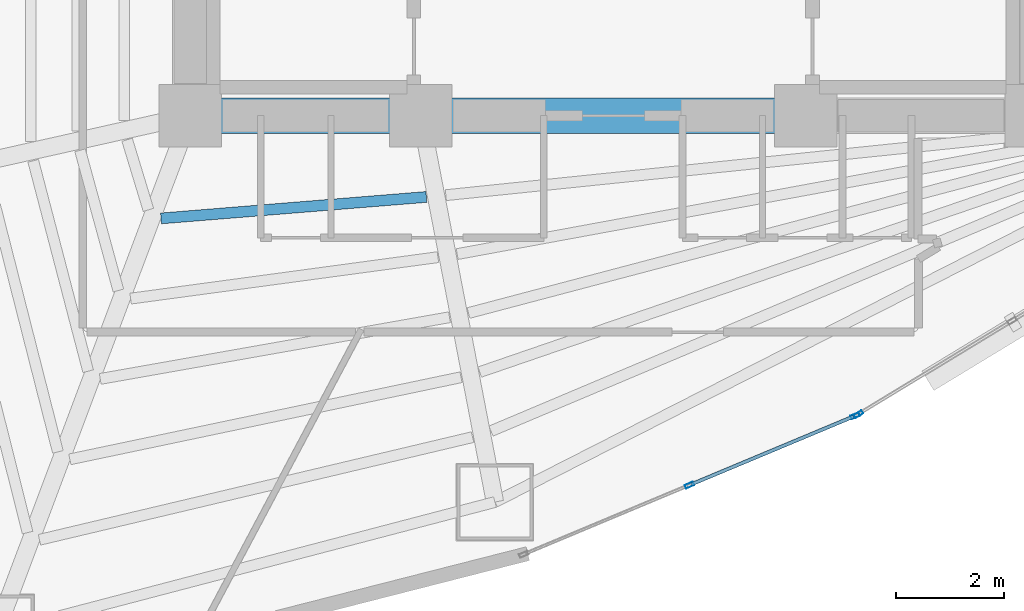
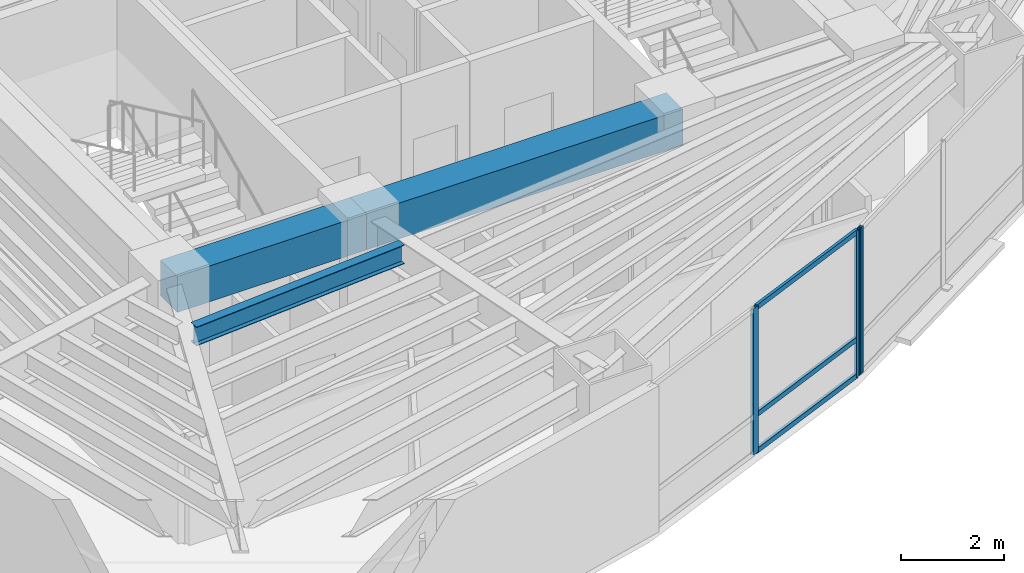
# One storey, part 4 of 18: 6 members, 3 beams, 2 elements without a shape of their own.
"""IFC4 building model written with IfcOpenShell, lengths in metres."""

from ifc_helpers import new_model, si_unit, direction, frame, origin, origin_2d, place, context, subcontext, project, spatial, rectangle, hollow_rectangle, i_section, extrude, material, layer, layer_set, material_profile, profile_set, type_object, element, aggregate, save


model = new_model("IFC4")

# Units and contexts
model_context = context("Model", 3, precision=1e-05, world=origin(), true_north=direction((0.0, 1.0)))
body_context = subcontext(model_context, "Body", "Model", "MODEL_VIEW")
ifc_project = project(units=[si_unit("LENGTHUNIT", "METRE"), si_unit("AREAUNIT", "SQUARE_METRE"), si_unit("VOLUMEUNIT", "CUBIC_METRE"), si_unit("PLANEANGLEUNIT", "RADIAN"), si_unit("MASSUNIT", "GRAM", prefix="KILO")], contexts=[model_context])

# Site, building, storey
site_placement = place(None, origin())
site = spatial("IfcSite", under=ifc_project, at=site_placement, CompositionType="ELEMENT")
building_placement = place(site_placement, origin())
building = spatial("IfcBuilding", under=site, at=building_placement, Name="Menara Vayukalpa", CompositionType="ELEMENT")
storey_placement = place(building_placement, frame((0.0, 0.0, 35.0400390625)))
storey = spatial("IfcBuildingStorey", under=building, at=storey_placement, Name="L07", CompositionType="ELEMENT", Elevation=35.0400390625)

# Beams
ifc_material_1 = material(Name="Concrete C60/75", Category="concrete")
ifc_material_profile_1 = material_profile(ifc_material_1, rectangle(XDim=0.64990234375, YDim=0.85009765625, at=origin_2d()), Name="RC 650x850")
ifc_profile_set_1 = profile_set([ifc_material_profile_1], Name="Concrete C60/75")
beam_type_1 = type_object("IfcBeamType", Name="BM-CB1", PredefinedType="BEAM", material=ifc_profile_set_1)
beam_1_placement = place(storey_placement, frame((17.800048828125, 17.199951171875, 3.044921875), z_axis=(1.0, 0.0, 0.0), x_axis=(0.0, 1.0, 0.0)))
element("IfcBeam", 1, at=beam_1_placement, inside=storey, type_object=beam_type_1, Name="L07 Core Tie Beam CBR1", PredefinedType="BEAM", context=body_context, shape_type="SweptSolid", body=[
    extrude(rectangle(XDim=0.64990234375, YDim=0.85009765625, at=origin_2d()), origin(), (0.0, 0.0, 1.0), 4.25),
])
beam_2_placement = place(storey_placement, frame((22.050048828125, 17.199951171875, 3.044921875), z_axis=(1.0, 0.0, 0.0), x_axis=(0.0, 1.0, 0.0)))
element("IfcBeam", 2, at=beam_2_placement, inside=storey, type_object=beam_type_1, Name="L07 Core Tie Beam CBR2", PredefinedType="BEAM", context=body_context, shape_type="SweptSolid", body=[
    extrude(rectangle(XDim=0.64990234375, YDim=0.85009765625, at=origin_2d()), origin(), (0.0, 0.0, 1.0), 7.099853515625),
])
ifc_material_2 = material(Name="Steel S355", Category="steel")
ifc_material_profile_2 = material_profile(ifc_material_2, i_section(OverallWidth=0.199951171875, OverallDepth=0.449951171875, WebThickness=0.009033203125, FlangeThickness=0.013916015625, at=origin_2d()), Name="WF 450x200x9x14")
ifc_profile_set_2 = profile_set([ifc_material_profile_2], Name="Steel S355")
beam_type_2 = type_object("IfcBeamType", Name="BM-SJ1", PredefinedType="JOIST", material=ifc_profile_set_2)
beam_3_placement = place(storey_placement, frame((17.262451171875, 15.306396484375, 3.244873046875), z_axis=(0.996745483939, 0.08061290373, 0.0), x_axis=(-0.08061290373, 0.996745483939, 0.0)))
element("IfcBeam", 3, at=beam_3_placement, inside=storey, type_object=beam_type_2, Name="L07 Secondary Floor Joist SJ07-1", PredefinedType="JOIST", context=body_context, shape_type="SweptSolid", body=[
    extrude(i_section(OverallWidth=0.199951171875, OverallDepth=0.449951171875, WebThickness=0.009033203125, FlangeThickness=0.013916015625, at=origin_2d()), origin(), (0.0, 0.0, 1.0), 4.9091796875),
])

# Curtain wall, members
ifc_material_3 = material(Name="Anodised Terracotta Aluminium Alloy 6063-T6", Category="masonry")
ifc_layer = layer(ifc_material_3, 0.1650390625)
ifc_layer_set = layer_set([ifc_layer], Name="Anodised Terracotta Aluminium Alloy 6063-T6")
curtain_wall_type = type_object("IfcCurtainWallType", Name="CW-CW2", PredefinedType="USERDEFINED", material=ifc_layer_set)
curtain_wall_1_placement = place(storey_placement, origin())
curtain_wall_1 = element("IfcCurtainWall", 4, at=curtain_wall_1_placement, inside=storey, type_object=curtain_wall_type, Name="L07 Low Rise Terracotta Ribbon Curtain Wall CW2 16", ObjectType="UNITISED", PredefinedType="USERDEFINED")
ifc_material_4 = material(Name="Anodised Terracotta Aluminium Alloy 6063-T6", Category="masonry")
ifc_material_profile_3 = material_profile(ifc_material_4, hollow_rectangle(XDim=0.070068359375, YDim=0.1650390625, WallThickness=0.00390625, at=origin_2d()), Name="ALU 70x165x4")
ifc_profile_set_3 = profile_set([ifc_material_profile_3], Name="Anodised Terracotta Aluminium Alloy 6063-T6")
member_type_1 = type_object("IfcMemberType", Name="CWM-CW2", PredefinedType="MULLION", material=ifc_profile_set_3)
member_1_placement = place(storey_placement, frame((27.0068359375, 10.388916015625, 0.0), z_axis=(0.0, 0.0, 1.0), x_axis=(-0.385895120445, 0.922542658101, 0.0)))
member_1 = element("IfcMember", 5, at=member_1_placement, type_object=member_type_1, Name="CW2 mullion 2", PredefinedType="MULLION", context=body_context, shape_type="SweptSolid", body=[
    extrude(hollow_rectangle(XDim=0.070068359375, YDim=0.1650390625, WallThickness=0.00390625, at=origin_2d()), origin(), (0.0, 0.0, 1.0), 3.469970703125),
])
member_2_placement = place(storey_placement, frame((30.062744140625, 11.6669921875, 0.0), z_axis=(0.0, 0.0, 1.0), x_axis=(-0.385895120445, 0.922542658101, 0.0)))
member_2 = element("IfcMember", 6, at=member_2_placement, type_object=member_type_1, Name="CW2 mullion 3", PredefinedType="MULLION", context=body_context, shape_type="SweptSolid", body=[
    extrude(hollow_rectangle(XDim=0.070068359375, YDim=0.1650390625, WallThickness=0.00390625, at=origin_2d()), origin(), (0.0, 0.0, 1.0), 3.469970703125),
])

# Curtain wall, member
curtain_wall_2_placement = place(storey_placement, origin())
curtain_wall_2 = element("IfcCurtainWall", 7, at=curtain_wall_2_placement, inside=storey, type_object=curtain_wall_type, Name="L07 Low Rise Terracotta Ribbon Curtain Wall CW2 17", ObjectType="UNITISED", PredefinedType="USERDEFINED")
member_3_placement = place(storey_placement, frame((30.125, 11.69873046875, 0.0), z_axis=(0.0, 0.0, 1.0), x_axis=(-0.519181964377, 0.854663727945, 0.0)))
member_3 = element("IfcMember", 8, at=member_3_placement, type_object=member_type_1, Name="CW2 mullion 1", PredefinedType="MULLION", context=body_context, shape_type="SweptSolid", body=[
    extrude(hollow_rectangle(XDim=0.070068359375, YDim=0.1650390625, WallThickness=0.00390625, at=origin_2d()), origin(), (0.0, 0.0, 1.0), 3.469970703125),
])
aggregate(curtain_wall_2, [member_3])

# Member
ifc_material_5 = material(Name="Anodised Terracotta Aluminium Alloy 6063-T6", Category="masonry")
ifc_material_profile_4 = material_profile(ifc_material_5, hollow_rectangle(XDim=0.06494140625, YDim=0.1201171875, WallThickness=0.00341796875, at=origin_2d()), Name="ALU 65x120x3.5")
ifc_profile_set_4 = profile_set([ifc_material_profile_4], Name="Anodised Terracotta Aluminium Alloy 6063-T6")
member_type_2 = type_object("IfcMemberType", Name="CWT-CW2", PredefinedType="USERDEFINED", material=ifc_profile_set_4)
member_4_placement = place(storey_placement, frame((27.0390625, 10.40234375, 0.032470703125), z_axis=(0.922552588381, 0.385871379699, 0.0), x_axis=(-0.385871379699, 0.922552588381, 0.0)))
member_4 = element("IfcMember", 9, at=member_4_placement, type_object=member_type_2, Name="CW2 transom 2.1", ObjectType="TRANSOM", PredefinedType="USERDEFINED", context=body_context, shape_type="SweptSolid", body=[
    extrude(hollow_rectangle(XDim=0.06494140625, YDim=0.1201171875, WallThickness=0.00341796875, at=origin_2d()), origin(), (0.0, 0.0, 1.0), 3.24267578125),
])

member_5_placement = place(storey_placement, frame((27.0390625, 10.40234375, 0.89990234375), z_axis=(0.922552588381, 0.385871379699, 0.0), x_axis=(-0.385871379699, 0.922552588381, 0.0)))
member_5 = element("IfcMember", 10, at=member_5_placement, type_object=member_type_2, Name="CW2 transom 2.2", ObjectType="TRANSOM", PredefinedType="USERDEFINED", context=body_context, shape_type="SweptSolid", body=[
    extrude(hollow_rectangle(XDim=0.06494140625, YDim=0.1201171875, WallThickness=0.00341796875, at=origin_2d()), origin(), (0.0, 0.0, 1.0), 3.24267578125),
])

member_6_placement = place(storey_placement, frame((27.0390625, 10.40234375, 3.4375), z_axis=(0.922552588381, 0.385871379699, 0.0), x_axis=(-0.385871379699, 0.922552588381, 0.0)))
member_6 = element("IfcMember", 11, at=member_6_placement, type_object=member_type_2, Name="CW2 transom 2.3", ObjectType="TRANSOM", PredefinedType="USERDEFINED", context=body_context, shape_type="SweptSolid", body=[
    extrude(hollow_rectangle(XDim=0.06494140625, YDim=0.1201171875, WallThickness=0.00341796875, at=origin_2d()), origin(), (0.0, 0.0, 1.0), 3.24267578125),
])

aggregate(curtain_wall_1, [member_1, member_2, member_4, member_5, member_6])

save(model, "model.ifc")
